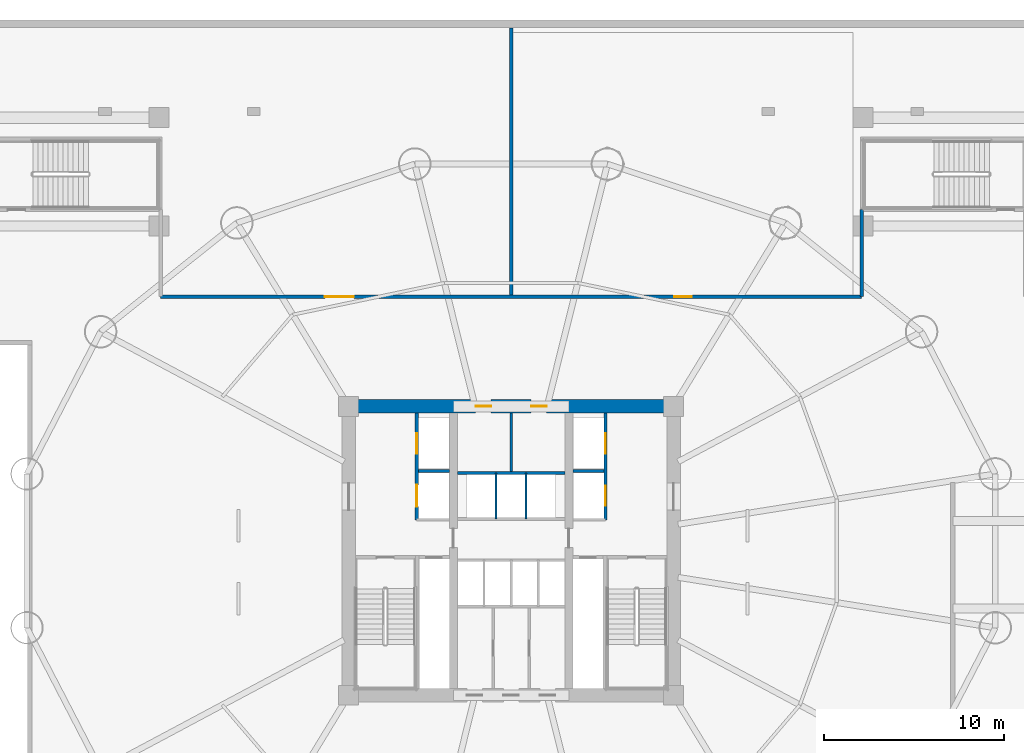
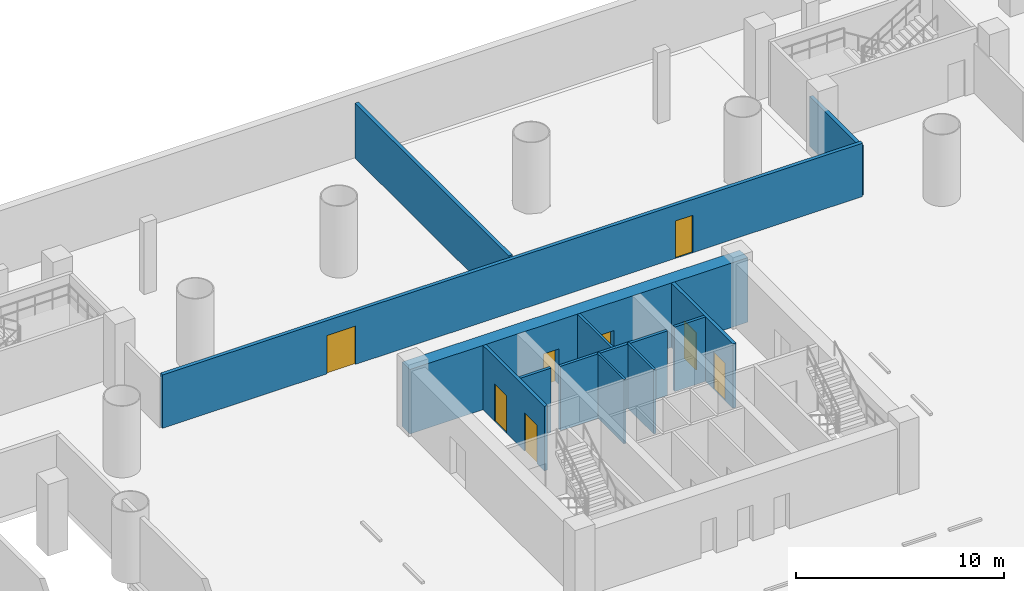
# One storey, part 5 of 11: 12 walls, 8 doors, 8 openings.
"""IFC4 building model written with IfcOpenShell, lengths in metres."""

from ifc_helpers import new_model, si_unit, direction, frame, frame_2d, origin, place, context, subcontext, project, spatial, rectangle, extrude, source, transform, mapped, material, layer, layer_set, type_object, element, fill, save


model = new_model("IFC4")

# Units and contexts
model_context = context("Model", 3, precision=1e-05, world=origin(), true_north=direction((-0.2419218956, 0.970295726276)))
body_context = subcontext(model_context, "Body", "Model", "MODEL_VIEW")
ifc_project = project(units=[si_unit("LENGTHUNIT", "METRE"), si_unit("AREAUNIT", "SQUARE_METRE"), si_unit("VOLUMEUNIT", "CUBIC_METRE"), si_unit("PLANEANGLEUNIT", "RADIAN"), si_unit("MASSUNIT", "GRAM", prefix="KILO")], contexts=[model_context])

# Site, building, storey
site_placement = place(None, origin())
site = spatial("IfcSite", under=ifc_project, at=site_placement, CompositionType="ELEMENT")
building_placement = place(site_placement, origin())
building = spatial("IfcBuilding", under=site, at=building_placement, Name="Cobrevalo Terracotta Tower", CompositionType="ELEMENT")
storey_placement = place(building_placement, frame((0.0, 0.0, -4.199951171875)))
storey = spatial("IfcBuildingStorey", under=building, at=storey_placement, Name="B01", CompositionType="ELEMENT", Elevation=-4.199951171875)

# Wall, openings, doors
ifc_material_1 = material(Name="Concrete C60", Category="concrete")
ifc_layer_1 = layer(ifc_material_1, 0.75)
ifc_layer_set_1 = layer_set([ifc_layer_1], Name="Concrete C60")
wall_type_1 = type_object("IfcWallType", Name="Core shear wall 750 mm Concrete C60", PredefinedType="SHEAR", material=ifc_layer_set_1)
wall_1_placement = place(storey_placement, frame((28.625, 34.800048828125, 0.0), z_axis=(0.0, 0.0, 1.0), x_axis=(1.0, 0.0, 0.0)))
wall_1 = element("IfcWall", 1, at=wall_1_placement, inside=storey, type_object=wall_type_1, Name="B01 north core shear wall", PredefinedType="SHEAR", context=body_context, shape_type="SweptSolid", body=[
    extrude(rectangle(XDim=18.75, YDim=0.75, at=frame_2d((9.375, 0.0))), origin(), (0.0, 0.0, 1.0), 3.780029296875),
])
opening_1_placement = place(wall_1_placement, frame((7.407470703125, 0.0, 0.0)))
opening_1 = element("IfcOpeningElement", 2, at=opening_1_placement, cuts=wall_1, Name="Opening ID-07", PredefinedType="OPENING", context=body_context, shape_type="SweptSolid", body=[
    extrude(rectangle(XDim=0.860107421875, YDim=2.10009765625, at=frame_2d((0.43017578125, 1.050048828125))), frame((0.0, 0.385009765625, 0.0), z_axis=(0.0, -1.0, 0.0), x_axis=(1.0, 0.0, 0.0)), (0.0, 0.0, 1.0), 0.77001953125),
])
opening_2_placement = place(wall_1_placement, frame((10.487548828125, 0.0, 0.0)))
opening_2 = element("IfcOpeningElement", 3, at=opening_2_placement, cuts=wall_1, Name="Opening ID-22", PredefinedType="OPENING", context=body_context, shape_type="SweptSolid", body=[
    extrude(rectangle(XDim=0.85009765625, YDim=2.10009765625, at=frame_2d((0.425048828125, 1.050048828125))), frame((0.0, 0.385009765625, 0.0), z_axis=(0.0, -1.0, 0.0), x_axis=(1.0, 0.0, 0.0)), (0.0, 0.0, 1.0), 0.77001953125),
])
ifc_material_2 = material(Name="Powder-coated steel", Category="steel")
door_type_1 = type_object("IfcDoorType", Name="Riser shaft & meter closet fire access door 850x2100 EI 60", OperationType="NOTDEFINED", PredefinedType="DOOR", material=ifc_material_2)
shared_shape_1 = source(origin(), body_context, "Body", "SweptSolid", [
    extrude(rectangle(XDim=0.85009765625, YDim=2.10009765625, at=frame_2d((0.425048828125, 1.050048828125))), frame((0.0, 0.02490234375, 0.0), z_axis=(0.0, -1.0, 0.0), x_axis=(1.0, 0.0, 0.0)), (0.0, 0.0, 1.0), 0.050048828125),
])
door_1_placement = place(opening_2_placement, frame((0.85009765625, 0.0, 0.0), z_axis=(0.0, 0.0, 1.0), x_axis=(-1.0, 0.0, 0.0)))
door_1 = element("IfcDoor", 4, at=door_1_placement, inside=storey, type_object=door_type_1, Name="B01 core north service door Floor Telecom and Metering Plant", OperationType="SINGLE_SWING_RIGHT", OverallHeight=2.10009765625, OverallWidth=0.85009765625, PredefinedType="DOOR", context=body_context, shape_type="MappedRepresentation", body=[
    mapped(shared_shape_1, transform((0.0, 0.0, 0.0), scale=1.0)),
])
fill(opening_2, door_1)
ifc_material_3 = material(Name="Fire-rated moisture-sealed timber", Category="wood")
door_type_2 = type_object("IfcDoorType", Name="Core & podium fire-rated accessible WC door 860x2100 EI 60", OperationType="NOTDEFINED", PredefinedType="DOOR", material=ifc_material_3)
shared_shape_2 = source(origin(), body_context, "Body", "SweptSolid", [
    extrude(rectangle(XDim=0.860107421875, YDim=2.10009765625, at=frame_2d((0.43017578125, 1.050048828125))), frame((0.0, 0.02490234375, 0.0), z_axis=(0.0, -1.0, 0.0), x_axis=(1.0, 0.0, 0.0)), (0.0, 0.0, 1.0), 0.050048828125),
])
door_2_placement = place(opening_1_placement, frame((0.860107421875, 0.0, 0.0), z_axis=(0.0, 0.0, 1.0), x_axis=(-1.0, 0.0, 0.0)))
door_2 = element("IfcDoor", 5, at=door_2_placement, inside=storey, type_object=door_type_2, Name="B01 core north service door Core Accessible Toilet WC", OperationType="SINGLE_SWING_LEFT", OverallHeight=2.10009765625, OverallWidth=0.860107421875, PredefinedType="DOOR", context=body_context, shape_type="MappedRepresentation", body=[
    mapped(shared_shape_2, transform((0.0, 0.0, 0.0), scale=1.0)),
])
fill(opening_1, door_2)

# Walls
ifc_material_4 = material(Name="Gypsum board on steel stud", Category="steel")
ifc_layer_2 = layer(ifc_material_4, 0.159912109375)
ifc_layer_set_2 = layer_set([ifc_layer_2], Name="Gypsum board on steel stud")
wall_type_2 = type_object("IfcWallType", Name="Fire-rated corridor acoustic partition wall 160 mm", PredefinedType="PARTITIONING", material=ifc_layer_set_2)
for number, where, z_axis, x_axis, name in (
    (6, (32.860107421875, 31.219970703125, 0.0), (0.0, 0.0, 1.0), (1.0, 0.0, 0.0), "B01 interior partition IW-B01-FF1-M"),
    (7, (41.425048828125, 31.219970703125, 0.0), (0.0, 0.0, 1.0), (1.0, 0.0, 0.0), "B01 interior partition IW-B01-FF2-M"),
):
    element("IfcWall", number, at=place(storey_placement, frame(where, z_axis=z_axis, x_axis=x_axis)), inside=storey, type_object=wall_type_2, Name=name, PredefinedType="PARTITIONING", context=body_context, shape_type="SweptSolid", body=[
        extrude(rectangle(XDim=1.71484375, YDim=0.159912109375, at=frame_2d((0.857421875, 0.0))), origin(), (0.0, 0.0, 1.0), 3.780029296875),
    ])
wall_2_placement = place(storey_placement, frame((35.02490234375, 31.1201171875, 0.0), z_axis=(0.0, 0.0, 1.0), x_axis=(1.0, 0.0, 0.0)))
element("IfcWall", 8, at=wall_2_placement, inside=storey, type_object=wall_type_2, Name="B01 interior partition IW-B01-LB-N", PredefinedType="PARTITIONING", context=body_context, shape_type="SweptSolid", body=[
    extrude(rectangle(XDim=5.9501953125, YDim=0.159912109375, at=frame_2d((2.97509765625, 0.0))), origin(), (0.0, 0.0, 1.0), 3.780029296875),
])

# Wall, openings, doors
ifc_layer_3 = layer(ifc_material_4, 0.179931640625)
ifc_layer_set_3 = layer_set([ifc_layer_3], Name="Gypsum board on steel stud")
wall_type_3 = type_object("IfcWallType", Name="Fire-rated shaft & lobby acoustic partition wall 180 mm", PredefinedType="PARTITIONING", material=ifc_layer_set_3)
wall_3_placement = place(storey_placement, frame((32.77001953125, 28.52001953125, 0.0), z_axis=(0.0, 0.0, 1.0), x_axis=(0.0, 1.0, 0.0)))
wall_3 = element("IfcWall", 9, at=wall_3_placement, inside=storey, type_object=wall_type_3, Name="B01 interior partition IW-B01-FF1-W", PredefinedType="PARTITIONING", context=body_context, shape_type="SweptSolid", body=[
    extrude(rectangle(XDim=5.905029296875, YDim=0.179931640625, at=frame_2d((2.95263671875, 0.0))), origin(), (0.0, 0.0, 1.0), 3.780029296875),
])
opening_3_placement = place(wall_3_placement, frame((3.655029296875, 0.0, 0.0)))
opening_3 = element("IfcOpeningElement", 10, at=opening_3_placement, cuts=wall_3, Name="Opening LD-02", PredefinedType="OPENING", context=body_context, shape_type="SweptSolid", body=[
    extrude(rectangle(XDim=1.14990234375, YDim=2.199951171875, at=frame_2d((0.574951171875, 1.10009765625))), frame((0.0, 0.10009765625, 0.0), z_axis=(0.0, -1.0, 0.0), x_axis=(1.0, 0.0, 0.0)), (0.0, 0.0, 1.0), 0.199951171875),
])
opening_4_placement = place(wall_3_placement, frame((0.72998046875, 0.0, 0.0)))
opening_4 = element("IfcOpeningElement", 11, at=opening_4_placement, cuts=wall_3, Name="Opening LD-03", PredefinedType="OPENING", context=body_context, shape_type="SweptSolid", body=[
    extrude(rectangle(XDim=1.199951171875, YDim=2.25, at=frame_2d((0.60009765625, 1.125))), frame((0.0, 0.10009765625, 0.0), z_axis=(0.0, -1.0, 0.0), x_axis=(1.0, 0.0, 0.0)), (0.0, 0.0, 1.0), 0.199951171875),
])
ifc_material_5 = material(Name="Brushed stainless steel", Category="steel")
door_type_3 = type_object("IfcDoorType", Name="Firefighting lift landing bi-parting sliding door 1150x2200 EI 120", OperationType="DOUBLE_DOOR_SLIDING", PredefinedType="DOOR", material=ifc_material_5)
shared_shape_3 = source(origin(), body_context, "Body", "SweptSolid", [
    extrude(rectangle(XDim=1.14990234375, YDim=2.199951171875, at=frame_2d((0.574951171875, 1.10009765625))), frame((0.0, 0.02490234375, 0.0), z_axis=(0.0, -1.0, 0.0), x_axis=(1.0, 0.0, 0.0)), (0.0, 0.0, 1.0), 0.050048828125),
])
door_3_placement = place(opening_3_placement, origin())
door_3 = element("IfcDoor", 12, at=door_3_placement, inside=storey, type_object=door_type_3, Name="B01 lift landing door FF-1", OperationType="DOUBLE_DOOR_SLIDING", OverallHeight=2.199951171875, OverallWidth=1.14990234375, PredefinedType="DOOR", context=body_context, shape_type="MappedRepresentation", body=[
    mapped(shared_shape_3, transform((0.0, 0.0, 0.0), scale=1.0)),
])
fill(opening_3, door_3)
door_type_4 = type_object("IfcDoorType", Name="Service lift landing bi-parting sliding door 1200x2250 EI 120", OperationType="DOUBLE_DOOR_SLIDING", PredefinedType="DOOR", material=ifc_material_5)
shared_shape_4 = source(origin(), body_context, "Body", "SweptSolid", [
    extrude(rectangle(XDim=1.199951171875, YDim=2.25, at=frame_2d((0.60009765625, 1.125))), frame((0.0, 0.02490234375, 0.0), z_axis=(0.0, -1.0, 0.0), x_axis=(1.0, 0.0, 0.0)), (0.0, 0.0, 1.0), 0.050048828125),
])
door_4_placement = place(opening_4_placement, origin())
door_4 = element("IfcDoor", 13, at=door_4_placement, inside=storey, type_object=door_type_4, Name="B01 lift landing door SV-1", OperationType="DOUBLE_DOOR_SLIDING", OverallHeight=2.25, OverallWidth=1.199951171875, PredefinedType="DOOR", context=body_context, shape_type="MappedRepresentation", body=[
    mapped(shared_shape_4, transform((0.0, 0.0, 0.0), scale=1.0)),
])
fill(opening_4, door_4)

wall_4_placement = place(storey_placement, frame((43.22998046875, 28.52001953125, 0.0), z_axis=(0.0, 0.0, 1.0), x_axis=(0.0, 1.0, 0.0)))
wall_4 = element("IfcWall", 14, at=wall_4_placement, inside=storey, type_object=wall_type_3, Name="B01 interior partition IW-B01-FF2-E", PredefinedType="PARTITIONING", context=body_context, shape_type="SweptSolid", body=[
    extrude(rectangle(XDim=5.905029296875, YDim=0.179931640625, at=frame_2d((2.95263671875, 0.0))), origin(), (0.0, 0.0, 1.0), 3.780029296875),
])
opening_5_placement = place(wall_4_placement, frame((3.655029296875, 0.0, 0.0)))
opening_5 = element("IfcOpeningElement", 15, at=opening_5_placement, cuts=wall_4, Name="Opening LD-02", PredefinedType="OPENING", context=body_context, shape_type="SweptSolid", body=[
    extrude(rectangle(XDim=1.14990234375, YDim=2.199951171875, at=frame_2d((0.574951171875, 1.10009765625))), frame((0.0, 0.10009765625, 0.0), z_axis=(0.0, -1.0, 0.0), x_axis=(1.0, 0.0, 0.0)), (0.0, 0.0, 1.0), 0.199951171875),
])
opening_6_placement = place(wall_4_placement, frame((0.780029296875, 0.0, 0.0)))
opening_6 = element("IfcOpeningElement", 16, at=opening_6_placement, cuts=wall_4, Name="Opening LD-01", PredefinedType="OPENING", context=body_context, shape_type="SweptSolid", body=[
    extrude(rectangle(XDim=1.10009765625, YDim=2.199951171875, at=frame_2d((0.550048828125, 1.10009765625))), frame((0.0, 0.10009765625, 0.0), z_axis=(0.0, -1.0, 0.0), x_axis=(1.0, 0.0, 0.0)), (0.0, 0.0, 1.0), 0.199951171875),
])
door_5_placement = place(opening_5_placement, origin())
door_5 = element("IfcDoor", 17, at=door_5_placement, inside=storey, type_object=door_type_3, Name="B01 lift landing door FF-2", OperationType="DOUBLE_DOOR_SLIDING", OverallHeight=2.199951171875, OverallWidth=1.14990234375, PredefinedType="DOOR", context=body_context, shape_type="MappedRepresentation", body=[
    mapped(shared_shape_3, transform((0.0, 0.0, 0.0), scale=1.0)),
])
fill(opening_5, door_5)
door_type_5 = type_object("IfcDoorType", Name="Passenger lift landing bi-parting sliding door 1100x2200 EI 90", OperationType="DOUBLE_DOOR_SLIDING", PredefinedType="DOOR", material=ifc_material_5)
shared_shape_5 = source(origin(), body_context, "Body", "SweptSolid", [
    extrude(rectangle(XDim=1.10009765625, YDim=2.199951171875, at=frame_2d((0.550048828125, 1.10009765625))), frame((0.0, 0.02490234375, 0.0), z_axis=(0.0, -1.0, 0.0), x_axis=(1.0, 0.0, 0.0)), (0.0, 0.0, 1.0), 0.050048828125),
])
door_6_placement = place(opening_6_placement, origin())
door_6 = element("IfcDoor", 18, at=door_6_placement, inside=storey, type_object=door_type_5, Name="B01 lift landing door PL-P1", OperationType="DOUBLE_DOOR_SLIDING", OverallHeight=2.199951171875, OverallWidth=1.10009765625, PredefinedType="DOOR", context=body_context, shape_type="MappedRepresentation", body=[
    mapped(shared_shape_5, transform((0.0, 0.0, 0.0), scale=1.0)),
])
fill(opening_6, door_6)

ifc_material_6 = material(Name="Autoclaved aerated concrete block", Category="concrete")
ifc_layer_4 = layer(ifc_material_6, 0.199951171875)
ifc_layer_set_4 = layer_set([ifc_layer_4], Name="Autoclaved aerated concrete block")
wall_type_4 = type_object("IfcWallType", Name="Fire-rated stair, shaft & demising masonry wall 200 mm", PredefinedType="PARTITIONING", material=ifc_layer_set_4)
wall_5_placement = place(storey_placement, frame((18.580078125, 40.8798828125, 0.0), z_axis=(0.0, 0.0, 1.0), x_axis=(1.0, 0.0, 0.0)))
wall_5 = element("IfcWall", 19, at=wall_5_placement, inside=storey, type_object=wall_type_4, Name="B01 interior partition IW-B01-BN-2", PredefinedType="PARTITIONING", context=body_context, shape_type="SweptSolid", body=[
    extrude(rectangle(XDim=38.83984375, YDim=0.199951171875, at=frame_2d((19.419921875, 0.0))), origin(), (0.0, 0.0, 1.0), 3.1298828125),
])
opening_7_placement = place(wall_5_placement, frame((9.10498046875, 0.0, 0.0)))
opening_7 = element("IfcOpeningElement", 20, at=opening_7_placement, cuts=wall_5, Name="Opening ID-06", PredefinedType="OPENING", context=body_context, shape_type="SweptSolid", body=[
    extrude(rectangle(XDim=1.60009765625, YDim=2.25, at=frame_2d((0.800048828125, 1.125))), frame((0.0, 0.10986328125, 0.0), z_axis=(0.0, -1.0, 0.0), x_axis=(1.0, 0.0, 0.0)), (0.0, 0.0, 1.0), 0.219970703125),
])
opening_8_placement = place(wall_5_placement, frame((28.445068359375, 0.0, 0.0)))
opening_8 = element("IfcOpeningElement", 21, at=opening_8_placement, cuts=wall_5, Name="Opening ID-05", PredefinedType="OPENING", context=body_context, shape_type="SweptSolid", body=[
    extrude(rectangle(XDim=0.97998046875, YDim=2.199951171875, at=frame_2d((0.489990234375, 1.10009765625))), frame((0.0, 0.10986328125, 0.0), z_axis=(0.0, -1.0, 0.0), x_axis=(1.0, 0.0, 0.0)), (0.0, 0.0, 1.0), 0.219970703125),
])
ifc_material_7 = material(Name="Galvanized fire-rated steel", Category="steel")
door_type_6 = type_object("IfcDoorType", Name="Plant & mechanical room double fire door 1600x2250 EI 90", OperationType="NOTDEFINED", PredefinedType="DOOR", material=ifc_material_7)
shared_shape_6 = source(origin(), body_context, "Body", "SweptSolid", [
    extrude(rectangle(XDim=1.60009765625, YDim=2.25, at=frame_2d((0.800048828125, 1.125))), frame((0.0, 0.02490234375, 0.0), z_axis=(0.0, -1.0, 0.0), x_axis=(1.0, 0.0, 0.0)), (0.0, 0.0, 1.0), 0.050048828125),
])
door_7_placement = place(opening_7_placement, origin())
door_7 = element("IfcDoor", 22, at=door_7_placement, inside=storey, type_object=door_type_6, Name="Standby Emergency Generator Plant door", OperationType="DOUBLE_DOOR_SINGLE_SWING", OverallHeight=2.25, OverallWidth=1.60009765625, PredefinedType="DOOR", context=body_context, shape_type="MappedRepresentation", body=[
    mapped(shared_shape_6, transform((0.0, 0.0, 0.0), scale=1.0)),
])
fill(opening_7, door_7)
ifc_material_8 = material(Name="Solid hardwood timber", Category="wood")
door_type_7 = type_object("IfcDoorType", Name="Residence entrance fire-rated acoustic timber door 980x2200 EI 60", OperationType="NOTDEFINED", PredefinedType="DOOR", material=ifc_material_8)
shared_shape_7 = source(origin(), body_context, "Body", "SweptSolid", [
    extrude(rectangle(XDim=0.97998046875, YDim=2.199951171875, at=frame_2d((0.489990234375, 1.10009765625))), frame((0.0, 0.02490234375, 0.0), z_axis=(0.0, -1.0, 0.0), x_axis=(1.0, 0.0, 0.0)), (0.0, 0.0, 1.0), 0.050048828125),
])
door_8_placement = place(opening_8_placement, frame((0.97998046875, 0.0, 0.0), z_axis=(0.0, 0.0, 1.0), x_axis=(-1.0, 0.0, 0.0)))
door_8 = element("IfcDoor", 23, at=door_8_placement, inside=storey, type_object=door_type_7, Name="Bicycle Storage Room door", OperationType="SINGLE_SWING_LEFT", OverallHeight=2.199951171875, OverallWidth=0.97998046875, PredefinedType="DOOR", context=body_context, shape_type="MappedRepresentation", body=[
    mapped(shared_shape_7, transform((0.0, 0.0, 0.0), scale=1.0)),
])
fill(opening_8, door_8)

# Walls
wall_6_placement = place(storey_placement, frame((57.419921875, 40.8798828125, 0.0), z_axis=(0.0, 0.0, 1.0), x_axis=(0.0, 1.0, 0.0)))
element("IfcWall", 24, at=wall_6_placement, inside=storey, type_object=wall_type_4, Name="B01 interior partition IW-B01-BN-2E", PredefinedType="PARTITIONING", context=body_context, shape_type="SweptSolid", body=[
    extrude(rectangle(XDim=4.840087890625, YDim=0.199951171875, at=frame_2d((2.419921875, 0.0))), origin(), (0.0, 0.0, 1.0), 2.9150390625),
])
wall_7_placement = place(storey_placement, frame((38.0, 40.98193359375, 0.0), z_axis=(0.0, 0.0, 1.0), x_axis=(0.0, 1.0, 0.0)))
element("IfcWall", 25, at=wall_7_placement, inside=storey, type_object=wall_type_4, Name="B01 interior partition IW-B01-BN-M", PredefinedType="PARTITIONING", context=body_context, shape_type="SweptSolid", body=[
    extrude(rectangle(XDim=14.7880859375, YDim=0.199951171875, at=frame_2d((7.39404296875, 0.0))), origin(), (0.0, 0.0, 1.0), 3.221923828125),
])
ifc_layer_5 = layer(ifc_material_6, 0.1201171875)
ifc_layer_set_5 = layer_set([ifc_layer_5], Name="Autoclaved aerated concrete block")
wall_type_5 = type_object("IfcWallType", Name="Fire-rated wet-room & core service partition 120 mm", PredefinedType="PARTITIONING", material=ifc_layer_set_5)
for number, where, z_axis, x_axis, name in (
    (26, (37.169921875, 28.56005859375, 0.0), (0.0, 0.0, 1.0), (0.0, 1.0, 0.0), "B01 interior partition IW-B01-LB-D1"),
    (27, (38.830078125, 28.56005859375, 0.0), (0.0, 0.0, 1.0), (0.0, 1.0, 0.0), "B01 interior partition IW-B01-LB-D2"),
):
    element("IfcWall", number, at=place(storey_placement, frame(where, z_axis=z_axis, x_axis=x_axis)), inside=storey, type_object=wall_type_5, Name=name, PredefinedType="PARTITIONING", context=body_context, shape_type="SweptSolid", body=[
        extrude(rectangle(XDim=2.56005859375, YDim=0.1201171875, at=frame_2d((1.280029296875, 0.0))), origin(), (0.0, 0.0, 1.0), 3.780029296875),
    ])
ifc_layer_6 = layer(ifc_material_6, 0.139892578125)
ifc_layer_set_6 = layer_set([ifc_layer_6], Name="Autoclaved aerated concrete block")
wall_type_6 = type_object("IfcWallType", Name="Moisture-resistant wet-room & core service partition 140 mm", PredefinedType="PARTITIONING", material=ifc_layer_set_6)
wall_8_placement = place(storey_placement, frame((38.0, 31.199951171875, 0.0), z_axis=(0.0, 0.0, 1.0), x_axis=(0.0, 1.0, 0.0)))
element("IfcWall", 28, at=wall_8_placement, inside=storey, type_object=wall_type_6, Name="B01 interior partition IW-B01-KVN-1", PredefinedType="PARTITIONING", context=body_context, shape_type="SweptSolid", body=[
    extrude(rectangle(XDim=3.22509765625, YDim=0.139892578125, at=frame_2d((1.612548828125, 0.0))), origin(), (0.0, 0.0, 1.0), 3.780029296875),
])

save(model, "model.ifc")
